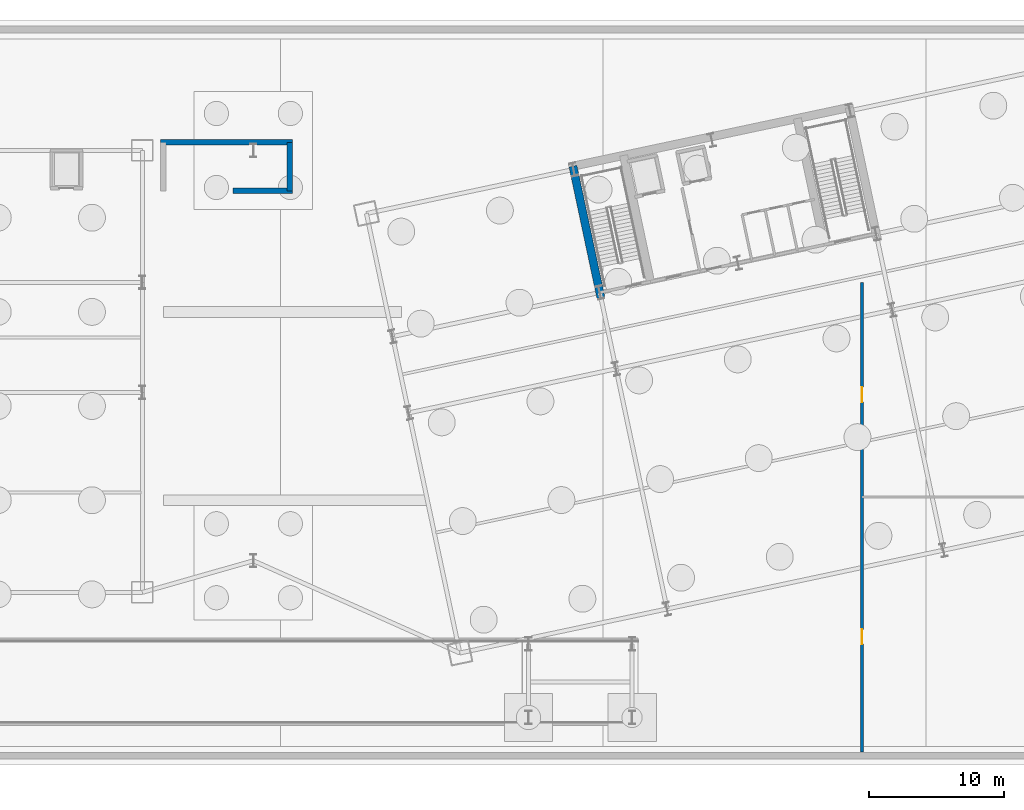
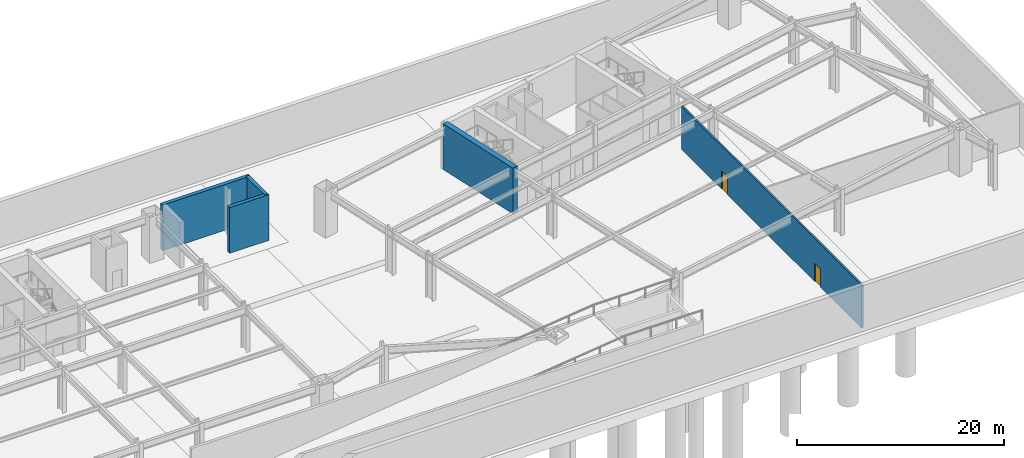
# One storey, part 8 of 15: 5 walls, 2 doors, 2 openings.
"""IFC4 building model written with IfcOpenShell, lengths in metres."""

import ifcopenshell
import ifcopenshell.guid

model = None  # the IFC model being written
_history = None  # IfcOwnerHistory: only IFC2X3 demands one
_inside = {}  # id of a spatial element -> (the spatial element, [elements in it])
_under = {}  # id of a project, library or spatial element -> (it, [spatial elements below it])
_declared = {}  # id of a project -> (the project, [libraries it declares])
_typed = {}  # id of a type object -> (the type object, [elements of that type])
_made_of = {}  # id of a material, layer set ... -> (it, [elements and type objects made of it])


def new_model(schema):
    """Start an empty IFC model of exactly this schema.

    Asked for "IFC4X3", IfcOpenShell would pick the latest addendum, in which some entities
    have other attributes; the version numbers below select the first issue.
    IFC2X3 requires an IfcOwnerHistory on every rooted entity: one is made here for all.
    """
    global model, _history
    if schema == "IFC4X3":
        model = ifcopenshell.file(schema_version=(4, 3, 0, 0))
    else:
        model = ifcopenshell.file(schema=schema)
    _inside.clear()
    _under.clear()
    _declared.clear()
    _typed.clear()
    _made_of.clear()
    _history = None
    if model.schema == "IFC2X3":
        org = make("IfcOrganization", Name="unknown")
        user = make(
            "IfcPersonAndOrganization",
            ThePerson=make("IfcPerson", FamilyName="unknown"),
            TheOrganization=org,
        )
        app = make(
            "IfcApplication",
            ApplicationDeveloper=org,
            Version="unknown",
            ApplicationFullName="unknown",
            ApplicationIdentifier="unknown",
        )
        _history = make(
            "IfcOwnerHistory",
            OwningUser=user,
            OwningApplication=app,
            ChangeAction="ADDED",
            CreationDate=0,
        )
    return model


def make(cls, **values):
    """One entity of the class cls with the attributes given. An attribute that is None is left unset."""
    return model.create_entity(
        cls, **{name: value for name, value in values.items() if value is not None}
    )


def rooted(cls, **values):
    """An entity with a GlobalId (a new one), such as an element, a storey or a relation."""
    return make(cls, GlobalId=ifcopenshell.guid.new(), OwnerHistory=_history, **values)


def si_unit(unit_type, name, prefix=None):
    """IfcSIUnit, for example si_unit("LENGTHUNIT", "METRE", prefix="MILLI")."""
    return make("IfcSIUnit", UnitType=unit_type, Prefix=prefix, Name=name)


def assignment(units):
    """IfcUnitAssignment: the units of a project."""
    return None if units is None else make("IfcUnitAssignment", Units=units)


def point(xyz):
    """IfcCartesianPoint."""
    return None if xyz is None else make("IfcCartesianPoint", Coordinates=xyz)


def direction(xyz):
    """IfcDirection."""
    return None if xyz is None else make("IfcDirection", DirectionRatios=xyz)


def frame(location, z_axis=None, x_axis=None):
    """IfcAxis2Placement3D, a coordinate frame: its origin and axes. An axis left out is left unset."""
    return make(
        "IfcAxis2Placement3D",
        Location=point(location),
        Axis=direction(z_axis),
        RefDirection=direction(x_axis),
    )


def frame_2d(location, x_axis=None):
    """IfcAxis2Placement2D, a coordinate frame in the plane: its origin and x axis."""
    return make(
        "IfcAxis2Placement2D", Location=point(location), RefDirection=direction(x_axis)
    )


def origin():
    """The frame at (0, 0, 0) with its axes left unset."""
    return frame((0.0, 0.0, 0.0))


def place(relative_to, where):
    """IfcLocalPlacement: puts the frame where relative to a parent placement (None: the world)."""
    return make(
        "IfcLocalPlacement", PlacementRelTo=relative_to, RelativePlacement=where
    )


def context(
    kind, dimensions, precision=None, world=None, true_north=None, identifier=None
):
    """IfcGeometricRepresentationContext, for example the 3D "Model" context."""
    return make(
        "IfcGeometricRepresentationContext",
        ContextIdentifier=identifier,
        ContextType=kind,
        CoordinateSpaceDimension=dimensions,
        Precision=precision,
        WorldCoordinateSystem=world,
        TrueNorth=true_north,
    )


def subcontext(parent, identifier, kind, view, scale=None):
    """IfcGeometricRepresentationSubContext, for example "Body" below "Model"."""
    return make(
        "IfcGeometricRepresentationSubContext",
        ContextIdentifier=identifier,
        ContextType=kind,
        ParentContext=parent,
        TargetScale=scale,
        TargetView=view,
    )


def project(units=None, contexts=None):
    """IfcProject with its units and contexts."""
    return rooted(
        "IfcProject",
        Name="project",
        RepresentationContexts=contexts,
        UnitsInContext=assignment(units),
    )


def spatial(cls, under=None, at=None, **own):
    """A site, building, storey or space (cls), placed at a placement, below another one or the project."""
    s = rooted(cls, ObjectPlacement=at, **own)
    if under is not None:
        _under.setdefault(under.id(), (under, []))[1].append(s)
    return s


def profile(cls, at=None, kind="AREA", **sizes):
    """A parametric profile (cls). Its sizes go by their IFC names, for example OverallWidth=200.0."""
    return make(cls, ProfileType=kind, Position=at, **sizes)


def rectangle(**sizes):
    """IfcRectangleProfileDef."""
    return profile("IfcRectangleProfileDef", **sizes)


def extrude(swept, where, along, depth):
    """IfcExtrudedAreaSolid: the profile swept, set in the frame where, extruded along a direction by depth."""
    return make(
        "IfcExtrudedAreaSolid",
        SweptArea=swept,
        Position=where,
        ExtrudedDirection=direction(along),
        Depth=depth,
    )


def shape(context_of_items, identifier, shape_type, items):
    """IfcShapeRepresentation: the items that make up one representation, for example the "Body"."""
    return make(
        "IfcShapeRepresentation",
        ContextOfItems=context_of_items,
        RepresentationIdentifier=identifier,
        RepresentationType=shape_type,
        Items=items,
    )


def material(Name=None, Category=None):
    """IfcMaterial."""
    return make("IfcMaterial", Name=Name, Category=Category)


def layer(
    of_material, thickness, ventilated=None, Name=None, Category=None, Priority=None
):
    """IfcMaterialLayer: one layer of a wall or slab, of a material (None: an air gap)."""
    return make(
        "IfcMaterialLayer",
        Material=of_material,
        LayerThickness=thickness,
        IsVentilated=ventilated,
        Name=Name,
        Category=Category,
        Priority=Priority,
    )


def layer_set(layers, Name=None):
    """IfcMaterialLayerSet."""
    return make("IfcMaterialLayerSet", MaterialLayers=layers, LayerSetName=Name)


def made_of(thing, what):
    """Note that an element or type object is made of a material, layer set ...; save() writes the relation."""
    if what is not None:
        _made_of.setdefault(what.id(), (what, []))[1].append(thing)
    return thing


def type_object(cls, material=None, **own):
    """A type object (cls), such as IfcWallType, which elements share."""
    return made_of(rooted(cls, **own), material)


def element(
    cls,
    number,
    at=None,
    inside=None,
    cuts=None,
    type_object=None,
    material=None,
    context=None,
    identifier="Body",
    shape_type=None,
    held_by="IfcProductDefinitionShape",
    body=None,
    shapes=None,
    **own,
):
    """One element of the class cls, such as IfcWall. Its Tag is "e" and its number.

    at: its placement. inside: the storey or other place that contains it. cuts: it is an
    opening in that element (IfcRelVoidsElement). A single representation is given by context,
    identifier, shape_type and body (its items); several are given by shapes. held_by: the class
    of the entity that holds the representations. save() writes the other relations.
    """
    e = rooted(cls, Tag="e%d" % number, ObjectPlacement=at, **own)
    if body is not None:
        shapes = [shape(context, identifier, shape_type, body)]
    if shapes is not None:
        e.Representation = make(held_by, Representations=shapes)
    if inside is not None:
        _inside.setdefault(inside.id(), (inside, []))[1].append(e)
    if cuts is not None:
        rooted(
            "IfcRelVoidsElement", RelatingBuildingElement=cuts, RelatedOpeningElement=e
        )
    if type_object is not None:
        _typed.setdefault(type_object.id(), (type_object, []))[1].append(e)
    return made_of(e, material)


def fill(opening, filler):
    """IfcRelFillsElement: the door or window that sits in an opening."""
    return rooted(
        "IfcRelFillsElement",
        RelatingOpeningElement=opening,
        RelatedBuildingElement=filler,
    )


def aggregate(whole, parts):
    """IfcRelAggregates: a whole, such as a stair, and the parts it consists of."""
    return rooted("IfcRelAggregates", RelatingObject=whole, RelatedObjects=parts)


def save(model, path):
    """Write the relations noted so far, then the file.

    IfcRelAggregates (storeys below a building ...), IfcRelContainedInSpatialStructure (elements
    in a storey), IfcRelDefinesByType, IfcRelAssociatesMaterial and IfcRelDeclares: one each for
    every whole, place, type object, material and project.
    """
    for whole, parts in _under.values():
        aggregate(whole, parts)
    for where, things in _inside.values():
        rooted(
            "IfcRelContainedInSpatialStructure",
            RelatedElements=things,
            RelatingStructure=where,
        )
    for kind, things in _typed.values():
        rooted("IfcRelDefinesByType", RelatedObjects=things, RelatingType=kind)
    for what, things in _made_of.values():
        rooted("IfcRelAssociatesMaterial", RelatedObjects=things, RelatingMaterial=what)
    for by, libraries in _declared.values():
        rooted("IfcRelDeclares", RelatingContext=by, RelatedDefinitions=libraries)
    model.write(path)


model = new_model("IFC4")

# Units and contexts
model_context = context("Model", 3, precision=1e-05, world=origin(), true_north=direction((0.0, 1.0)))
body_context = subcontext(model_context, "Body", "Model", "MODEL_VIEW")
ifc_project = project(units=[si_unit("LENGTHUNIT", "METRE"), si_unit("AREAUNIT", "SQUARE_METRE"), si_unit("VOLUMEUNIT", "CUBIC_METRE"), si_unit("PLANEANGLEUNIT", "RADIAN"), si_unit("MASSUNIT", "GRAM", prefix="KILO")], contexts=[model_context])

# Site, building, storey
site_placement = place(None, origin())
site = spatial("IfcSite", under=ifc_project, at=site_placement, CompositionType="ELEMENT")
building_placement = place(site_placement, origin())
building = spatial("IfcBuilding", under=site, at=building_placement, Name="Haevon Station Towers", CompositionType="ELEMENT")
storey_placement = place(building_placement, frame((0.0, 0.0, -10.800048828125)))
storey = spatial("IfcBuildingStorey", under=building, at=storey_placement, Name="B02", CompositionType="ELEMENT", Elevation=-10.800048828125)

# Wall, openings, doors
ifc_material_1 = material(Name="Gypsum board on steel stud", Category="steel")
ifc_layer_1 = layer(ifc_material_1, 0.199951171875)
ifc_layer_set_1 = layer_set([ifc_layer_1], Name="Gypsum board on steel stud")
wall_type_1 = type_object("IfcWallType", Name="WL-COR200", PredefinedType="PARTITIONING", material=ifc_layer_set_1)
wall_1_placement = place(storey_placement, frame((118.25, 3.300048828125, 0.0), z_axis=(0.0, 0.0, 1.0), x_axis=(0.0, 1.0, 0.0)))
wall_1 = element("IfcWall", 1, at=wall_1_placement, inside=storey, type_object=wall_type_1, Name="WL-B02-PLT1", PredefinedType="PARTITIONING", context=body_context, shape_type="SweptSolid", body=[
    extrude(rectangle(XDim=34.89990234375, YDim=0.199951171875, at=frame_2d((17.449951171875, 0.0))), origin(), (0.0, 0.0, 1.0), 5.080078125),
])
opening_1_placement = place(wall_1_placement, frame((8.0, 0.0, 0.0)))
opening_1 = element("IfcOpeningElement", 2, at=opening_1_placement, cuts=wall_1, Name="Opening DR-WL-B02-PLT1-1", PredefinedType="OPENING", context=body_context, shape_type="SweptSolid", body=[
    extrude(rectangle(XDim=1.10009765625, YDim=2.14990234375, at=frame_2d((0.550048828125, 1.074951171875))), frame((0.0, 0.10986328125, 0.0), z_axis=(0.0, -1.0, 0.0), x_axis=(1.0, 0.0, 0.0)), (0.0, 0.0, 1.0), 0.219970703125),
])
opening_2_placement = place(wall_1_placement, frame((26.0, 0.0, 0.0)))
opening_2 = element("IfcOpeningElement", 3, at=opening_2_placement, cuts=wall_1, Name="Opening DR-WL-B02-PLT1-2", PredefinedType="OPENING", context=body_context, shape_type="SweptSolid", body=[
    extrude(rectangle(XDim=1.10009765625, YDim=2.14990234375, at=frame_2d((0.550048828125, 1.074951171875))), frame((0.0, 0.10986328125, 0.0), z_axis=(0.0, -1.0, 0.0), x_axis=(1.0, 0.0, 0.0)), (0.0, 0.0, 1.0), 0.219970703125),
])
ifc_material_2 = material(Name="Engineered oak timber", Category="wood")
door_type = type_object("IfcDoorType", Name="DR-FD60-1100", OperationType="NOTDEFINED", PredefinedType="DOOR", material=ifc_material_2)
door_1_placement = place(opening_1_placement, origin())
door_1 = element("IfcDoor", 4, at=door_1_placement, inside=storey, type_object=door_type, Name="B02 Interior Door WL-B02-PLT1-1", OperationType="SINGLE_SWING_LEFT", OverallHeight=2.14990234375, OverallWidth=1.10009765625, PredefinedType="DOOR", context=body_context, shape_type="SweptSolid", body=[
    extrude(rectangle(XDim=1.10009765625, YDim=2.14990234375, at=frame_2d((0.550048828125, 1.074951171875))), frame((0.0, 0.02490234375, 0.0), z_axis=(0.0, -1.0, 0.0), x_axis=(1.0, 0.0, 0.0)), (0.0, 0.0, 1.0), 0.050048828125),
])
fill(opening_1, door_1)
door_2_placement = place(opening_2_placement, origin())
door_2 = element("IfcDoor", 5, at=door_2_placement, inside=storey, type_object=door_type, Name="B02 Interior Door WL-B02-PLT1-2", OperationType="SINGLE_SWING_RIGHT", OverallHeight=2.14990234375, OverallWidth=1.10009765625, PredefinedType="DOOR", context=body_context, shape_type="SweptSolid", body=[
    extrude(rectangle(XDim=1.10009765625, YDim=2.14990234375, at=frame_2d((0.550048828125, 1.074951171875))), frame((0.0, 0.02490234375, 0.0), z_axis=(0.0, -1.0, 0.0), x_axis=(1.0, 0.0, 0.0)), (0.0, 0.0, 1.0), 0.050048828125),
])
fill(opening_2, door_2)

# Walls
ifc_material_3 = material(Name="Concrete C60/75", Category="concrete")
ifc_layer_2 = layer(ifc_material_3, 0.39990234375)
ifc_layer_set_2 = layer_set([ifc_layer_2], Name="Concrete C60/75")
wall_type_2 = type_object("IfcWallType", Name="WL-CR400", PredefinedType="SHEAR", material=ifc_layer_set_2)
wall_2_placement = place(storey_placement, frame((66.10009765625, 48.60009765625, 0.0), z_axis=(0.0, 0.0, 1.0), x_axis=(1.0, 0.0, 0.0)))
element("IfcWall", 6, at=wall_2_placement, inside=storey, type_object=wall_type_2, Name="WL-ST6CR-B02-N", PredefinedType="SHEAR", context=body_context, shape_type="SweptSolid", body=[
    extrude(rectangle(XDim=9.7998046875, YDim=0.39990234375, at=frame_2d((4.89990234375, 0.0))), origin(), (0.0, 0.0, 1.0), 5.400146484375),
])
wall_3_placement = place(storey_placement, frame((75.699951171875, 45.0, 0.0), z_axis=(0.0, 0.0, 1.0), x_axis=(0.0, 1.0, 0.0)))
element("IfcWall", 7, at=wall_3_placement, inside=storey, type_object=wall_type_2, Name="WL-ST6CR-B02-E", PredefinedType="SHEAR", context=body_context, shape_type="SweptSolid", body=[
    extrude(rectangle(XDim=3.60009765625, YDim=0.39990234375, at=frame_2d((1.800048828125, 0.0))), origin(), (0.0, 0.0, 1.0), 5.400146484375),
])
wall_4_placement = place(storey_placement, frame((71.5, 45.0, 0.0), z_axis=(0.0, 0.0, 1.0), x_axis=(1.0, 0.0, 0.0)))
element("IfcWall", 8, at=wall_4_placement, inside=storey, type_object=wall_type_2, Name="WL-ST6CR-B02-S2", PredefinedType="SHEAR", context=body_context, shape_type="SweptSolid", body=[
    extrude(rectangle(XDim=4.39990234375, YDim=0.39990234375, at=frame_2d((2.199951171875, 0.0))), origin(), (0.0, 0.0, 1.0), 5.400146484375),
])
ifc_layer_3 = layer(ifc_material_3, 0.60009765625)
ifc_layer_set_3 = layer_set([ifc_layer_3], Name="Concrete C60/75")
wall_type_3 = type_object("IfcWallType", Name="WL-CR600", PredefinedType="SHEAR", material=ifc_layer_set_3)
wall_5_placement = place(storey_placement, frame((98.8603515625, 36.933837890625, 0.0), z_axis=(0.0, 0.0, 1.0), x_axis=(-0.20790924889, 0.978148119778, 0.0)))
element("IfcWall", 9, at=wall_5_placement, inside=storey, type_object=wall_type_3, Name="WL-T2CR-B02-W", PredefinedType="SHEAR", context=body_context, shape_type="SweptSolid", body=[
    extrude(rectangle(XDim=10.119873046875, YDim=0.60009765625, at=frame_2d((5.06005859375, 0.0))), origin(), (0.0, 0.0, 1.0), 5.400146484375),
])

save(model, "model.ifc")
